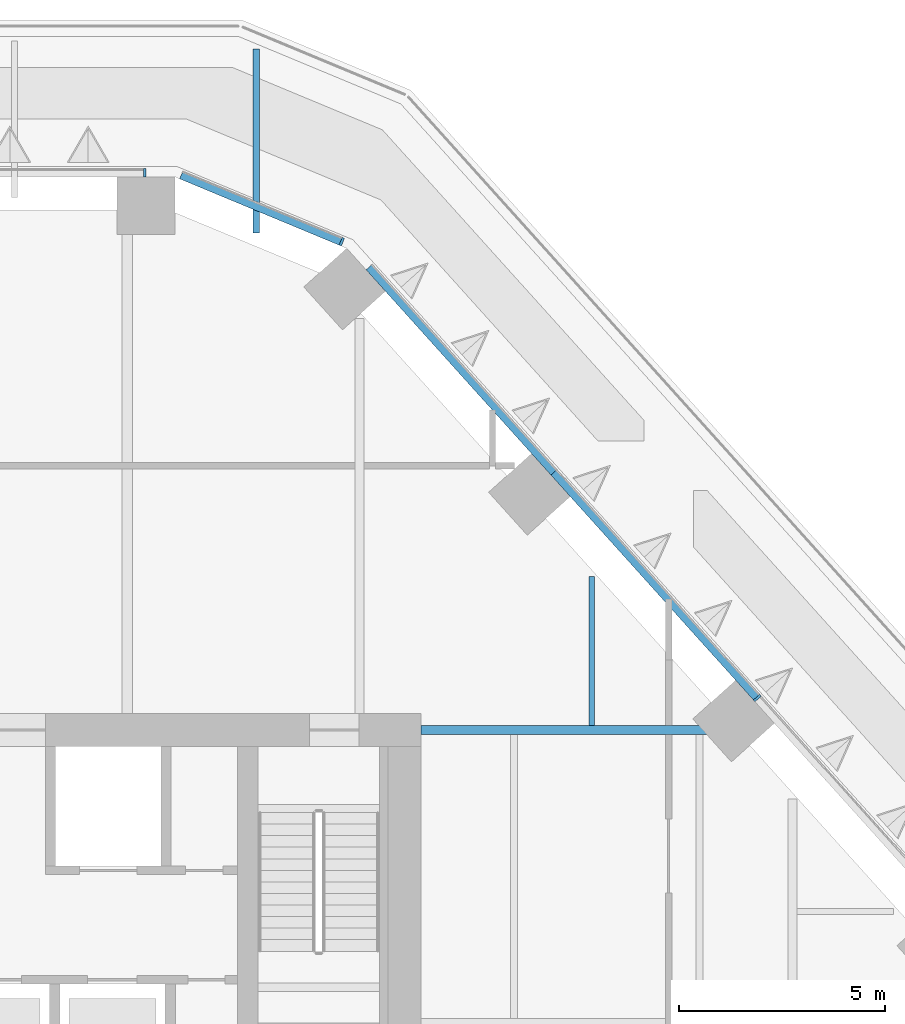
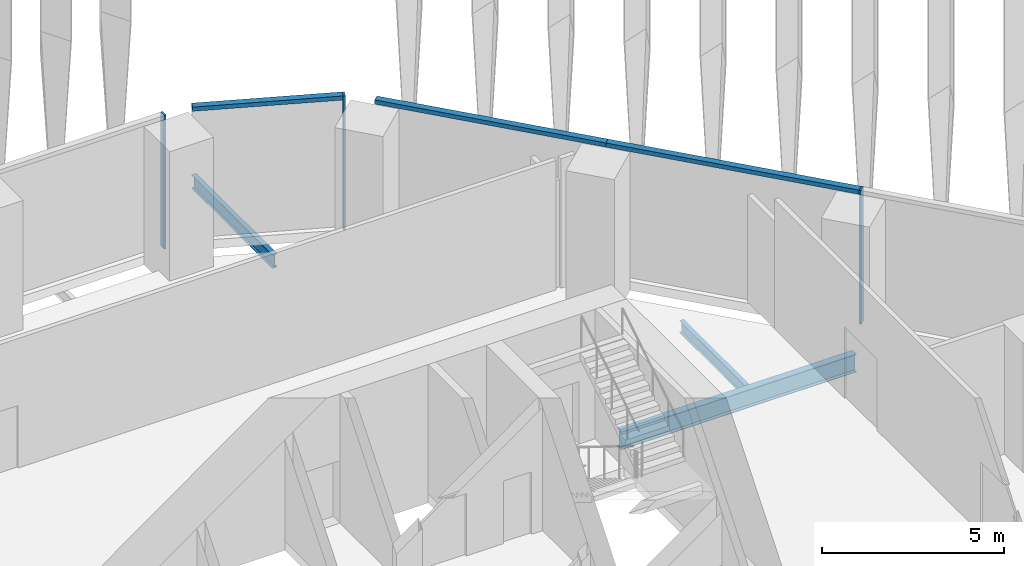
# One storey, part 10 of 27: 6 members, 3 beams, 3 elements without a shape of their own.
"""IFC4 building model written with IfcOpenShell, lengths in metres."""

from ifc_helpers import new_model, si_unit, direction, frame, origin, origin_2d, place, context, subcontext, project, spatial, rectangle, i_section, extrude, material, layer, layer_set, material_profile, profile_set, type_object, element, aggregate, save


model = new_model("IFC4")

# Units and contexts
model_context = context("Model", 3, precision=1e-05, world=origin(), true_north=direction((0.0, 1.0)))
body_context = subcontext(model_context, "Body", "Model", "MODEL_VIEW")
ifc_project = project(units=[si_unit("LENGTHUNIT", "METRE"), si_unit("AREAUNIT", "SQUARE_METRE"), si_unit("VOLUMEUNIT", "CUBIC_METRE"), si_unit("PLANEANGLEUNIT", "RADIAN"), si_unit("MASSUNIT", "GRAM", prefix="KILO")], contexts=[model_context])

# Site, building, storey
site_placement = place(None, origin())
site = spatial("IfcSite", under=ifc_project, at=site_placement, CompositionType="ELEMENT")
building_placement = place(site_placement, origin())
building = spatial("IfcBuilding", under=site, at=building_placement, Name="Isthmus Gate Tower", CompositionType="ELEMENT")
storey_placement = place(building_placement, frame((0.0, 0.0, 121.64990234375)))
storey = spatial("IfcBuildingStorey", under=building, at=storey_placement, Name="L29", CompositionType="ELEMENT", Elevation=121.64990234375)

# Curtain wall, member
ifc_material_1 = material(Name="Aluminium, pale champagne anodised", Category="aluminium")
ifc_layer = layer(ifc_material_1, 0.199951171875)
ifc_layer_set = layer_set([ifc_layer], Name="CW-1 UNITISED CURTAIN WALL 200 DEEP")
curtain_wall_type = type_object("IfcCurtainWallType", Name="CW-1 UNITISED CURTAIN WALL 200 DEEP", PredefinedType="NOTDEFINED", material=ifc_layer_set)
curtain_wall_1_placement = place(storey_placement, origin())
curtain_wall_1 = element("IfcCurtainWall", 1, at=curtain_wall_1_placement, inside=storey, type_object=curtain_wall_type, Name="CW-1 N L29", PredefinedType="NOTDEFINED")
ifc_material_2 = material(Name="Aluminium, pale champagne anodised", Category="aluminium")
ifc_material_profile_1 = material_profile(ifc_material_2, rectangle(XDim=0.06005859375, YDim=0.199951171875, at=origin_2d()), Name="60x200")
ifc_profile_set_1 = profile_set([ifc_material_profile_1], Name="Aluminium, pale champagne anodised")
member_type_1 = type_object("IfcMemberType", Name="CW-1 MULLION 60 X 200", PredefinedType="MULLION", material=ifc_profile_set_1)
member_1_placement = place(storey_placement, frame((8.30859375, 28.10009765625, 0.0), z_axis=(0.0, 0.0, 1.0), x_axis=(-1.0, 0.0, 0.0)))
member_1 = element("IfcMember", 2, at=member_1_placement, type_object=member_type_1, Name="CW-1 mullion", PredefinedType="MULLION", context=body_context, shape_type="SweptSolid", body=[
    extrude(rectangle(XDim=0.06005859375, YDim=0.199951171875, at=origin_2d()), origin(), (0.0, 0.0, 1.0), 4.5),
])
aggregate(curtain_wall_1, [member_1])

curtain_wall_2_placement = place(storey_placement, origin())
curtain_wall_2 = element("IfcCurtainWall", 3, at=curtain_wall_2_placement, inside=storey, type_object=curtain_wall_type, Name="CW-1 NE L29", PredefinedType="NOTDEFINED")
member_2_placement = place(storey_placement, frame((23.14697265625, 15.373046875, 0.0), z_axis=(0.0, 0.0, 1.0), x_axis=(-0.669130606359, 0.743144825477, 0.0)))
member_2 = element("IfcMember", 4, at=member_2_placement, type_object=member_type_1, Name="CW-1 mullion", PredefinedType="MULLION", context=body_context, shape_type="SweptSolid", body=[
    extrude(rectangle(XDim=0.06005859375, YDim=0.199951171875, at=origin_2d()), origin(), (0.0, 0.0, 1.0), 4.5),
])

curtain_wall_3_placement = place(storey_placement, origin())
curtain_wall_3 = element("IfcCurtainWall", 5, at=curtain_wall_3_placement, inside=storey, type_object=curtain_wall_type, Name="CW-1 NE-N L29", PredefinedType="NOTDEFINED")
member_3_placement = place(storey_placement, frame((13.080810546875, 26.427490234375, 0.0), z_axis=(0.0, 0.0, 1.0), x_axis=(-0.923353128387, 0.383951820282, 0.0)))
member_3 = element("IfcMember", 6, at=member_3_placement, type_object=member_type_1, Name="CW-1 mullion", PredefinedType="MULLION", context=body_context, shape_type="SweptSolid", body=[
    extrude(rectangle(XDim=0.06005859375, YDim=0.199951171875, at=origin_2d()), origin(), (0.0, 0.0, 1.0), 4.5),
])

# Member
ifc_material_3 = material(Name="Aluminium, pale champagne anodised", Category="aluminium")
ifc_material_profile_2 = material_profile(ifc_material_3, rectangle(XDim=0.199951171875, YDim=0.139892578125, at=origin_2d()), Name="200x140")
ifc_profile_set_2 = profile_set([ifc_material_profile_2], Name="Aluminium, pale champagne anodised")
member_type_2 = type_object("IfcMemberType", Name="CW-1 TRANSOM 200 X 140", PredefinedType="USERDEFINED", material=ifc_profile_set_2)
member_4_placement = place(storey_placement, frame((23.126708984375, 15.3955078125, 4.43017578125), z_axis=(-0.669137671884, 0.743138463589, 0.0), x_axis=(-0.743138463589, -0.669137671884, 0.0)))
member_4 = element("IfcMember", 7, at=member_4_placement, type_object=member_type_2, Name="CW-1 transom", ObjectType="TRANSOM", PredefinedType="USERDEFINED", context=body_context, shape_type="SweptSolid", body=[
    extrude(rectangle(XDim=0.199951171875, YDim=0.139892578125, at=origin_2d()), origin(), (0.0, 0.0, 1.0), 7.330810546875),
])

member_5_placement = place(storey_placement, frame((18.221435546875, 20.84326171875, 4.43017578125), z_axis=(-0.669117935274, 0.743156234378, 0.0), x_axis=(-0.743156234378, -0.669117935274, 0.0)))
member_5 = element("IfcMember", 8, at=member_5_placement, type_object=member_type_2, Name="CW-1 transom", ObjectType="TRANSOM", PredefinedType="USERDEFINED", context=body_context, shape_type="SweptSolid", body=[
    extrude(rectangle(XDim=0.199951171875, YDim=0.139892578125, at=origin_2d()), origin(), (0.0, 0.0, 1.0), 6.690673828125),
])

aggregate(curtain_wall_2, [member_2, member_4, member_5])

member_6_placement = place(storey_placement, frame((13.05322265625, 26.43896484375, 4.43017578125), z_axis=(-0.923358236369, 0.383939536033, 0.0), x_axis=(-0.383939536033, -0.923358236369, 0.0)))
member_6 = element("IfcMember", 9, at=member_6_placement, type_object=member_type_2, Name="CW-1 transom", ObjectType="TRANSOM", PredefinedType="USERDEFINED", context=body_context, shape_type="SweptSolid", body=[
    extrude(rectangle(XDim=0.199951171875, YDim=0.139892578125, at=origin_2d()), origin(), (0.0, 0.0, 1.0), 4.181640625),
])

aggregate(curtain_wall_3, [member_3, member_6])

# Beams
ifc_material_4 = material(Name="Structural steel ASTM A992 Gr 50", Category="steel")
ifc_material_profile_3 = material_profile(ifc_material_4, i_section(OverallWidth=0.1396484375, OverallDepth=0.4033203125, WebThickness=0.00634765625, FlangeThickness=0.010986328125, at=origin_2d()), Name="W16X31")
ifc_profile_set_3 = profile_set([ifc_material_profile_3], Name="Structural steel ASTM A992 Gr 50")
beam_type_1 = type_object("IfcBeamType", Name="STEEL FLOOR BEAM W16X31", PredefinedType="JOIST", material=ifc_profile_set_3)
beam_1_placement = place(storey_placement, frame((19.13818359375, 14.71435546875, -0.50146484375), z_axis=(0.0, 1.0, 0.0), x_axis=(-1.0, 0.0, 0.0)))
element("IfcBeam", 10, at=beam_1_placement, inside=storey, type_object=beam_type_1, Name="str-beam-L29-05-07", PredefinedType="JOIST", context=body_context, shape_type="SweptSolid", body=[
    extrude(i_section(OverallWidth=0.1396484375, OverallDepth=0.4033203125, WebThickness=0.00634765625, FlangeThickness=0.010986328125, at=origin_2d()), origin(), (0.0, 0.0, 1.0), 3.609130859375),
])
ifc_material_5 = material(Name="Structural steel ASTM A992 Gr 50", Category="steel")
ifc_material_profile_4 = material_profile(ifc_material_5, i_section(OverallWidth=0.228515625, OverallDepth=0.603271484375, WebThickness=0.010986328125, FlangeThickness=0.014404296875, at=origin_2d()), Name="W24X68")
ifc_profile_set_4 = profile_set([ifc_material_profile_4], Name="Structural steel ASTM A992 Gr 50")
beam_type_2 = type_object("IfcBeamType", Name="STEEL GIRDER W24X68", PredefinedType="BEAM", material=ifc_profile_set_4)
beam_2_placement = place(storey_placement, frame((15.0, 14.60009765625, -0.6015625), z_axis=(1.0, 0.0, 0.0), x_axis=(0.0, 1.0, 0.0)))
element("IfcBeam", 11, at=beam_2_placement, inside=storey, type_object=beam_type_2, Name="str-girder-L29-16", PredefinedType="BEAM", context=body_context, shape_type="SweptSolid", body=[
    extrude(i_section(OverallWidth=0.228515625, OverallDepth=0.603271484375, WebThickness=0.010986328125, FlangeThickness=0.014404296875, at=origin_2d()), origin(), (0.0, 0.0, 1.0), 7.490966796875),
])
ifc_material_6 = material(Name="Structural steel ASTM A992 Gr 50", Category="steel")
ifc_material_profile_5 = material_profile(ifc_material_6, i_section(OverallWidth=0.15234375, OverallDepth=0.45068359375, WebThickness=0.0078125, FlangeThickness=0.010986328125, at=origin_2d()), Name="W18X35")
ifc_profile_set_5 = profile_set([ifc_material_profile_5], Name="Structural steel ASTM A992 Gr 50")
beam_type_3 = type_object("IfcBeamType", Name="STEEL LEDGE BEAM W18X35", PredefinedType="JOIST", material=ifc_profile_set_5)
beam_3_placement = place(storey_placement, frame((11.011962890625, 26.64306640625, -0.525390625), z_axis=(0.0, 1.0, 0.0), x_axis=(-1.0, 0.0, 0.0)))
element("IfcBeam", 12, at=beam_3_placement, inside=storey, type_object=beam_type_3, Name="str-ringbeam-L29-00-14", PredefinedType="JOIST", context=body_context, shape_type="SweptSolid", body=[
    extrude(i_section(OverallWidth=0.15234375, OverallDepth=0.45068359375, WebThickness=0.0078125, FlangeThickness=0.010986328125, at=origin_2d()), origin(), (0.0, 0.0, 1.0), 4.454345703125),
])

save(model, "model.ifc")
